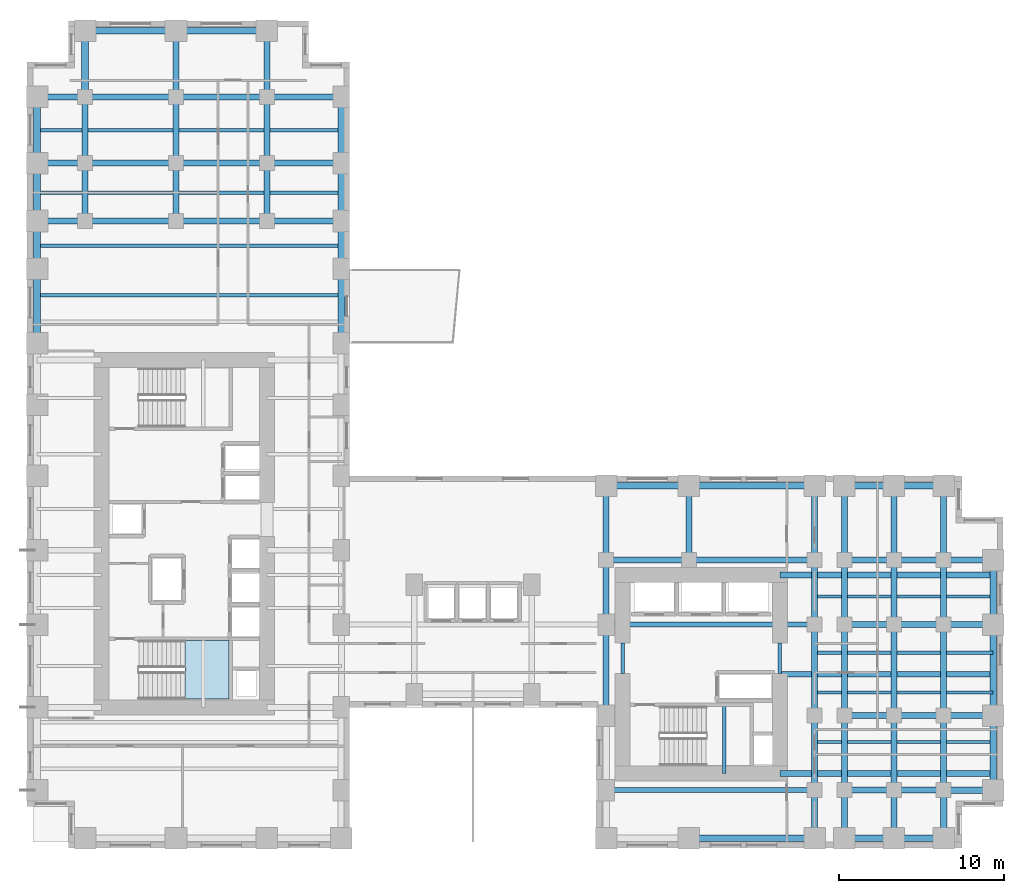
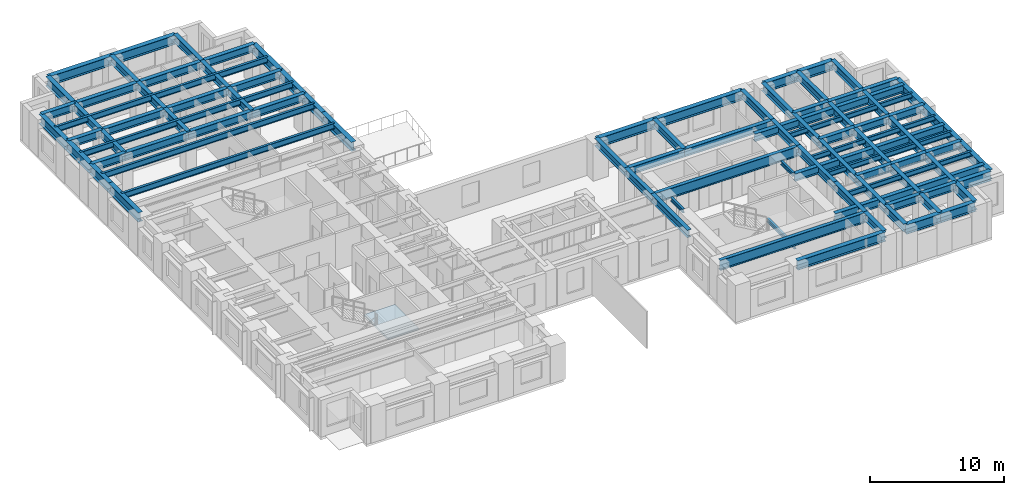
# One storey, part 2 of 11: 95 beams, 1 slab, 1 element without a shape of its own.
"""IFC4 building model written with IfcOpenShell, lengths in metres."""

from ifc_helpers import new_model, si_unit, direction, frame, origin, origin_2d, place, context, subcontext, project, spatial, polyline, i_section, outline, extrude, source, transform, mapped, material, layer, layer_set, material_profile, profile_set, type_object, element, aggregate, save


model = new_model("IFC4")

# Units and contexts
model_context = context("Model", 3, precision=1e-05, world=origin(), true_north=direction((0.0, 1.0)))
body_context = subcontext(model_context, "Body", "Model", "MODEL_VIEW")
ifc_project = project(units=[si_unit("LENGTHUNIT", "METRE"), si_unit("AREAUNIT", "SQUARE_METRE"), si_unit("VOLUMEUNIT", "CUBIC_METRE"), si_unit("PLANEANGLEUNIT", "RADIAN"), si_unit("MASSUNIT", "GRAM", prefix="KILO")], contexts=[model_context])

# Site, building, storey
site_placement = place(None, origin())
site = spatial("IfcSite", under=ifc_project, at=site_placement, CompositionType="ELEMENT")
building_placement = place(site_placement, origin())
building = spatial("IfcBuilding", under=site, at=building_placement, Name="Kharzan Plaza Tower", CompositionType="ELEMENT")
storey_placement = place(building_placement, frame((0.0, 0.0, 40.5)))
storey = spatial("IfcBuildingStorey", under=building, at=storey_placement, Name="L10", CompositionType="ELEMENT", Elevation=40.5)

# Beams
ifc_material_1 = material(Name="Steel S355", Category="steel")
ifc_material_profile_1 = material_profile(ifc_material_1, i_section(OverallWidth=0.205078125, OverallDepth=0.35400390625, WebThickness=0.009521484375, FlangeThickness=0.016845703125, at=origin_2d()), Name="W360x79")
ifc_profile_set_1 = profile_set([ifc_material_profile_1], Name="Steel S355")
beam_type_1 = type_object("IfcBeamType", Name="BM-LNT360", PredefinedType="LINTEL", material=ifc_profile_set_1)
shared_shape_1 = source(origin(), body_context, "Body", "SweptSolid", [
    extrude(i_section(OverallWidth=0.205078125, OverallDepth=0.35400390625, WebThickness=0.009521484375, FlangeThickness=0.016845703125, at=origin_2d()), origin(), (0.0, 0.0, 1.0), 1.849853515625),
])
for number, where, z_axis, x_axis, name in (
    (1, (45.5, 10.550048828125, 3.202880859375), (0.0, 1.0, 0.0), (-1.0, 0.0, 0.0), "L10 CORE-B coupling lintel LN1-WE"),
    (2, (36.0, 10.550048828125, 3.202880859375), (0.0, 1.0, 0.0), (-1.0, 0.0, 0.0), "L10 CORE-B coupling lintel LN1-WW"),
):
    element("IfcBeam", number, at=place(storey_placement, frame(where, z_axis=z_axis, x_axis=x_axis)), inside=storey, type_object=beam_type_1, Name=name, PredefinedType="LINTEL", context=body_context, shape_type="MappedRepresentation", body=[
        mapped(shared_shape_1, transform((0.0, 0.0, 0.0), x_axis=(1.0, 0.0, 0.0), y_axis=(0.0, 1.0, 0.0), z_axis=(0.0, 0.0, 1.0))),
    ])
shared_shape_2 = source(origin(), body_context, "Body", "SweptSolid", [
    extrude(i_section(OverallWidth=0.205078125, OverallDepth=0.35400390625, WebThickness=0.009521484375, FlangeThickness=0.016845703125, at=origin_2d()), origin(), (0.0, 0.0, 1.0), 4.155029296875),
])
beam_1_placement = place(storey_placement, frame((42.14990234375, 4.5, 1.423095703125), z_axis=(0.0, 1.0, 0.0), x_axis=(-1.0, 0.0, 0.0)))
element("IfcBeam", 3, at=beam_1_placement, inside=storey, type_object=beam_type_1, Name="L10 Stair ST-3 Half-Landing Beam", PredefinedType="LINTEL", context=body_context, shape_type="MappedRepresentation", body=[
    mapped(shared_shape_2, transform((0.0, 0.0, 0.0), x_axis=(1.0, 0.0, 0.0), y_axis=(0.0, 1.0, 0.0), z_axis=(0.0, 0.0, 1.0))),
])
ifc_material_profile_2 = material_profile(ifc_material_1, i_section(OverallWidth=0.304931640625, OverallDepth=0.9189453125, WebThickness=0.017333984375, FlangeThickness=0.02783203125, at=origin_2d()), Name="W920x253")
ifc_profile_set_2 = profile_set([ifc_material_profile_2], Name="Steel S355")
beam_type_2 = type_object("IfcBeamType", Name="BM-FG920B", PredefinedType="BEAM", material=ifc_profile_set_2)
shared_shape_3 = source(origin(), body_context, "Body", "SweptSolid", [
    extrude(i_section(OverallWidth=0.304931640625, OverallDepth=0.9189453125, WebThickness=0.017333984375, FlangeThickness=0.02783203125, at=origin_2d()), origin(), (0.0, 0.0, 1.0), 12.60009765625),
])
for number, where, z_axis, x_axis, name in (
    (4, (35.0, 3.5, 2.92041015625), (1.0, 0.0, 0.0), (0.0, 1.0, 0.0), "L10 Primary Floor Girder"),
    (5, (35.0, 13.5, 2.92041015625), (1.0, 0.0, 0.0), (0.0, 1.0, 0.0), "L10 Primary Floor Girder"),
):
    element("IfcBeam", number, at=place(storey_placement, frame(where, z_axis=z_axis, x_axis=x_axis)), inside=storey, type_object=beam_type_2, Name=name, PredefinedType="BEAM", context=body_context, shape_type="MappedRepresentation", body=[
        mapped(shared_shape_3, transform((0.0, 0.0, 0.0), x_axis=(1.0, 0.0, 0.0), y_axis=(0.0, 1.0, 0.0), z_axis=(0.0, 0.0, 1.0))),
    ])
ifc_material_profile_3 = material_profile(ifc_material_1, i_section(OverallWidth=0.35498046875, OverallDepth=0.695068359375, WebThickness=0.015380859375, FlangeThickness=0.02490234375, at=origin_2d()), Name="W690x217")
ifc_profile_set_3 = profile_set([ifc_material_profile_3], Name="Steel S355")
beam_type_3 = type_object("IfcBeamType", Name="BM-FG690A", PredefinedType="BEAM", material=ifc_profile_set_3)
shared_shape_4 = source(origin(), body_context, "Body", "SweptSolid", [
    extrude(i_section(OverallWidth=0.35498046875, OverallDepth=0.695068359375, WebThickness=0.015380859375, FlangeThickness=0.02490234375, at=origin_2d()), origin(), (0.0, 0.0, 1.0), 4.5),
])
for number, where, z_axis, x_axis, name in (
    (6, (35.0, 17.39990234375, 3.032470703125), (0.0, 1.0, 0.0), (-1.0, 0.0, 0.0), "L10 Interior Frame Girder"),
    (7, (40.0, 17.39990234375, 3.032470703125), (0.0, 1.0, 0.0), (-1.0, 0.0, 0.0), "L10 Interior Frame Girder"),
    (8, (47.60009765625, 3.5, 3.032470703125), (0.0, 1.0, 0.0), (-1.0, 0.0, 0.0), "L10 Interior Frame Girder"),
    (9, (47.60009765625, 17.39990234375, 3.032470703125), (0.0, 1.0, 0.0), (-1.0, 0.0, 0.0), "L10 Interior Frame Girder"),
    (10, (49.39990234375, 3.5, 3.032470703125), (0.0, 1.0, 0.0), (-1.0, 0.0, 0.0), "L10 Interior Frame Girder"),
    (11, (49.39990234375, 17.39990234375, 3.032470703125), (0.0, 1.0, 0.0), (-1.0, 0.0, 0.0), "L10 Interior Frame Girder"),
    (12, (52.39990234375, 3.5, 3.032470703125), (0.0, 1.0, 0.0), (-1.0, 0.0, 0.0), "L10 Interior Frame Girder"),
    (13, (52.39990234375, 17.39990234375, 3.032470703125), (0.0, 1.0, 0.0), (-1.0, 0.0, 0.0), "L10 Interior Frame Girder"),
    (14, (55.39990234375, 3.5, 3.032470703125), (0.0, 1.0, 0.0), (-1.0, 0.0, 0.0), "L10 Interior Frame Girder"),
    (15, (55.39990234375, 17.39990234375, 3.032470703125), (0.0, 1.0, 0.0), (-1.0, 0.0, 0.0), "L10 Interior Frame Girder"),
    (16, (14.5, 41.39990234375, 3.032470703125), (1.0, 0.0, 0.0), (0.0, 1.0, 0.0), "L10 Primary Floor Girder"),
    (17, (14.5, 45.39990234375, 3.032470703125), (1.0, 0.0, 0.0), (0.0, 1.0, 0.0), "L10 Primary Floor Girder"),
    (18, (14.5, 37.89990234375, 3.032470703125), (1.0, 0.0, 0.0), (0.0, 1.0, 0.0), "L10 Primary Floor Girder"),
):
    element("IfcBeam", number, at=place(storey_placement, frame(where, z_axis=z_axis, x_axis=x_axis)), inside=storey, type_object=beam_type_3, Name=name, PredefinedType="BEAM", context=body_context, shape_type="MappedRepresentation", body=[
        mapped(shared_shape_4, transform((0.0, 0.0, 0.0), x_axis=(1.0, 0.0, 0.0), y_axis=(0.0, 1.0, 0.0), z_axis=(0.0, 0.0, 1.0))),
    ])
shared_shape_5 = source(origin(), body_context, "Body", "SweptSolid", [
    extrude(i_section(OverallWidth=0.35498046875, OverallDepth=0.695068359375, WebThickness=0.015380859375, FlangeThickness=0.02490234375, at=origin_2d()), origin(), (0.0, 0.0, 1.0), 3.89990234375),
])
for number, where, z_axis, x_axis, name in (
    (19, (35.0, 13.5, 3.032470703125), (0.0, 1.0, 0.0), (-1.0, 0.0, 0.0), "L10 Interior Frame Girder"),
    (20, (47.60009765625, 13.5, 3.032470703125), (0.0, 1.0, 0.0), (-1.0, 0.0, 0.0), "L10 Interior Frame Girder"),
    (21, (49.39990234375, 13.5, 3.032470703125), (0.0, 1.0, 0.0), (-1.0, 0.0, 0.0), "L10 Interior Frame Girder"),
    (22, (52.39990234375, 13.5, 3.032470703125), (0.0, 1.0, 0.0), (-1.0, 0.0, 0.0), "L10 Interior Frame Girder"),
    (23, (55.39990234375, 13.5, 3.032470703125), (0.0, 1.0, 0.0), (-1.0, 0.0, 0.0), "L10 Interior Frame Girder"),
):
    element("IfcBeam", number, at=place(storey_placement, frame(where, z_axis=z_axis, x_axis=x_axis)), inside=storey, type_object=beam_type_3, Name=name, PredefinedType="BEAM", context=body_context, shape_type="MappedRepresentation", body=[
        mapped(shared_shape_5, transform((0.0, 0.0, 0.0), x_axis=(1.0, 0.0, 0.0), y_axis=(0.0, 1.0, 0.0), z_axis=(0.0, 0.0, 1.0))),
    ])
shared_shape_6 = source(origin(), body_context, "Body", "SweptSolid", [
    extrude(i_section(OverallWidth=0.35498046875, OverallDepth=0.695068359375, WebThickness=0.015380859375, FlangeThickness=0.02490234375, at=origin_2d()), origin(), (0.0, 0.0, 1.0), 12.89990234375),
])
for number, where, z_axis, x_axis, name in (
    (24, (45.5, 4.5, 3.032470703125), (1.0, 0.0, 0.0), (0.0, 1.0, 0.0), "L10 Core-B East Floor Girder 1"),
    (25, (45.5, 10.5, 3.032470703125), (1.0, 0.0, 0.0), (0.0, 1.0, 0.0), "L10 Core-B East Floor Girder 2"),
    (26, (45.5, 16.5, 3.032470703125), (1.0, 0.0, 0.0), (0.0, 1.0, 0.0), "L10 Core-B East Floor Girder 3"),
):
    element("IfcBeam", number, at=place(storey_placement, frame(where, z_axis=z_axis, x_axis=x_axis)), inside=storey, type_object=beam_type_3, Name=name, PredefinedType="BEAM", context=body_context, shape_type="MappedRepresentation", body=[
        mapped(shared_shape_6, transform((0.0, 0.0, 0.0), x_axis=(1.0, 0.0, 0.0), y_axis=(0.0, 1.0, 0.0), z_axis=(0.0, 0.0, 1.0))),
    ])
shared_shape_7 = source(origin(), body_context, "Body", "SweptSolid", [
    extrude(i_section(OverallWidth=0.35498046875, OverallDepth=0.695068359375, WebThickness=0.015380859375, FlangeThickness=0.02490234375, at=origin_2d()), origin(), (0.0, 0.0, 1.0), 3.5),
])
for number, where, z_axis, x_axis, name in (
    (27, (3.5, 37.89990234375, 3.032470703125), (0.0, 1.0, 0.0), (-1.0, 0.0, 0.0), "L10 Interior Frame Girder"),
    (28, (9.0, 37.89990234375, 3.032470703125), (0.0, 1.0, 0.0), (-1.0, 0.0, 0.0), "L10 Interior Frame Girder"),
    (29, (14.5, 37.89990234375, 3.032470703125), (0.0, 1.0, 0.0), (-1.0, 0.0, 0.0), "L10 Interior Frame Girder"),
):
    element("IfcBeam", number, at=place(storey_placement, frame(where, z_axis=z_axis, x_axis=x_axis)), inside=storey, type_object=beam_type_3, Name=name, PredefinedType="BEAM", context=body_context, shape_type="MappedRepresentation", body=[
        mapped(shared_shape_7, transform((0.0, 0.0, 0.0), x_axis=(1.0, 0.0, 0.0), y_axis=(0.0, 1.0, 0.0), z_axis=(0.0, 0.0, 1.0))),
    ])
shared_shape_8 = source(origin(), body_context, "Body", "SweptSolid", [
    extrude(i_section(OverallWidth=0.35498046875, OverallDepth=0.695068359375, WebThickness=0.015380859375, FlangeThickness=0.02490234375, at=origin_2d()), origin(), (0.0, 0.0, 1.0), 4.0),
])
for number, where, z_axis, x_axis, name in (
    (30, (3.5, 41.39990234375, 3.032470703125), (0.0, 1.0, 0.0), (-1.0, 0.0, 0.0), "L10 Interior Frame Girder"),
    (31, (9.0, 41.39990234375, 3.032470703125), (0.0, 1.0, 0.0), (-1.0, 0.0, 0.0), "L10 Interior Frame Girder"),
    (32, (9.0, 45.39990234375, 3.032470703125), (0.0, 1.0, 0.0), (-1.0, 0.0, 0.0), "L10 Interior Frame Girder"),
    (33, (14.5, 41.39990234375, 3.032470703125), (0.0, 1.0, 0.0), (-1.0, 0.0, 0.0), "L10 Interior Frame Girder"),
    (34, (14.5, 45.39990234375, 3.032470703125), (0.0, 1.0, 0.0), (-1.0, 0.0, 0.0), "L10 Interior Frame Girder"),
):
    element("IfcBeam", number, at=place(storey_placement, frame(where, z_axis=z_axis, x_axis=x_axis)), inside=storey, type_object=beam_type_3, Name=name, PredefinedType="BEAM", context=body_context, shape_type="MappedRepresentation", body=[
        mapped(shared_shape_8, transform((0.0, 0.0, 0.0), x_axis=(1.0, 0.0, 0.0), y_axis=(0.0, 1.0, 0.0), z_axis=(0.0, 0.0, 1.0))),
    ])
shared_shape_9 = source(origin(), body_context, "Body", "SweptSolid", [
    extrude(i_section(OverallWidth=0.35498046875, OverallDepth=0.695068359375, WebThickness=0.015380859375, FlangeThickness=0.02490234375, at=origin_2d()), origin(), (0.0, 0.0, 1.0), 5.0),
])
beam_2_placement = place(storey_placement, frame((35.0, 17.39990234375, 3.032470703125), z_axis=(1.0, 0.0, 0.0), x_axis=(0.0, 1.0, 0.0)))
element("IfcBeam", 35, at=beam_2_placement, inside=storey, type_object=beam_type_3, Name="L10 Primary Floor Girder", PredefinedType="BEAM", context=body_context, shape_type="MappedRepresentation", body=[
    mapped(shared_shape_9, transform((0.0, 0.0, 0.0), x_axis=(1.0, 0.0, 0.0), y_axis=(0.0, 1.0, 0.0), z_axis=(0.0, 0.0, 1.0))),
])
shared_shape_10 = source(origin(), body_context, "Body", "SweptSolid", [
    extrude(i_section(OverallWidth=0.35498046875, OverallDepth=0.695068359375, WebThickness=0.015380859375, FlangeThickness=0.02490234375, at=origin_2d()), origin(), (0.0, 0.0, 1.0), 5.5),
])
for number, where, z_axis, x_axis, name in (
    (36, (35.0, 8.0, 3.032470703125), (0.0, 1.0, 0.0), (-1.0, 0.0, 0.0), "L10 Interior Frame Girder"),
    (37, (47.60009765625, 8.0, 3.032470703125), (0.0, 1.0, 0.0), (-1.0, 0.0, 0.0), "L10 Interior Frame Girder"),
    (38, (49.39990234375, 8.0, 3.032470703125), (0.0, 1.0, 0.0), (-1.0, 0.0, 0.0), "L10 Interior Frame Girder"),
    (39, (52.39990234375, 8.0, 3.032470703125), (0.0, 1.0, 0.0), (-1.0, 0.0, 0.0), "L10 Interior Frame Girder"),
    (40, (55.39990234375, 8.0, 3.032470703125), (0.0, 1.0, 0.0), (-1.0, 0.0, 0.0), "L10 Interior Frame Girder"),
    (41, (3.5, 45.39990234375, 3.032470703125), (1.0, 0.0, 0.0), (0.0, 1.0, 0.0), "L10 Primary Floor Girder"),
    (42, (9.0, 45.39990234375, 3.032470703125), (1.0, 0.0, 0.0), (0.0, 1.0, 0.0), "L10 Primary Floor Girder"),
    (43, (3.5, 37.89990234375, 3.032470703125), (1.0, 0.0, 0.0), (0.0, 1.0, 0.0), "L10 Primary Floor Girder"),
    (44, (9.0, 37.89990234375, 3.032470703125), (1.0, 0.0, 0.0), (0.0, 1.0, 0.0), "L10 Primary Floor Girder"),
    (45, (3.5, 41.39990234375, 3.032470703125), (1.0, 0.0, 0.0), (0.0, 1.0, 0.0), "L10 Primary Floor Girder"),
    (46, (9.0, 41.39990234375, 3.032470703125), (1.0, 0.0, 0.0), (0.0, 1.0, 0.0), "L10 Primary Floor Girder"),
):
    element("IfcBeam", number, at=place(storey_placement, frame(where, z_axis=z_axis, x_axis=x_axis)), inside=storey, type_object=beam_type_3, Name=name, PredefinedType="BEAM", context=body_context, shape_type="MappedRepresentation", body=[
        mapped(shared_shape_10, transform((0.0, 0.0, 0.0), x_axis=(1.0, 0.0, 0.0), y_axis=(0.0, 1.0, 0.0), z_axis=(0.0, 0.0, 1.0))),
    ])
shared_shape_11 = source(origin(), body_context, "Body", "SweptSolid", [
    extrude(i_section(OverallWidth=0.35498046875, OverallDepth=0.695068359375, WebThickness=0.015380859375, FlangeThickness=0.02490234375, at=origin_2d()), origin(), (0.0, 0.0, 1.0), 2.89990234375),
])
for number, where, z_axis, x_axis, name in (
    (47, (47.60009765625, 0.60009765625, 3.032470703125), (0.0, 1.0, 0.0), (-1.0, 0.0, 0.0), "L10 Interior Frame Girder"),
    (48, (49.39990234375, 0.60009765625, 3.032470703125), (0.0, 1.0, 0.0), (-1.0, 0.0, 0.0), "L10 Interior Frame Girder"),
    (49, (52.39990234375, 0.60009765625, 3.032470703125), (0.0, 1.0, 0.0), (-1.0, 0.0, 0.0), "L10 Interior Frame Girder"),
    (50, (0.60009765625, 45.39990234375, 3.032470703125), (1.0, 0.0, 0.0), (0.0, 1.0, 0.0), "L10 Primary Floor Girder"),
    (51, (0.60009765625, 37.89990234375, 3.032470703125), (1.0, 0.0, 0.0), (0.0, 1.0, 0.0), "L10 Primary Floor Girder"),
    (52, (0.60009765625, 41.39990234375, 3.032470703125), (1.0, 0.0, 0.0), (0.0, 1.0, 0.0), "L10 Primary Floor Girder"),
):
    element("IfcBeam", number, at=place(storey_placement, frame(where, z_axis=z_axis, x_axis=x_axis)), inside=storey, type_object=beam_type_3, Name=name, PredefinedType="BEAM", context=body_context, shape_type="MappedRepresentation", body=[
        mapped(shared_shape_11, transform((0.0, 0.0, 0.0), x_axis=(1.0, 0.0, 0.0), y_axis=(0.0, 1.0, 0.0), z_axis=(0.0, 0.0, 1.0))),
    ])
shared_shape_12 = source(origin(), body_context, "Body", "SweptSolid", [
    extrude(i_section(OverallWidth=0.35498046875, OverallDepth=0.695068359375, WebThickness=0.015380859375, FlangeThickness=0.02490234375, at=origin_2d()), origin(), (0.0, 0.0, 1.0), 3.0),
])
for number, where, z_axis, x_axis, name in (
    (53, (49.39990234375, 3.5, 3.032470703125), (1.0, 0.0, 0.0), (0.0, 1.0, 0.0), "L10 Primary Floor Girder"),
    (54, (52.39990234375, 3.5, 3.032470703125), (1.0, 0.0, 0.0), (0.0, 1.0, 0.0), "L10 Primary Floor Girder"),
    (55, (49.39990234375, 8.0, 3.032470703125), (1.0, 0.0, 0.0), (0.0, 1.0, 0.0), "L10 Primary Floor Girder"),
    (56, (52.39990234375, 8.0, 3.032470703125), (1.0, 0.0, 0.0), (0.0, 1.0, 0.0), "L10 Primary Floor Girder"),
    (57, (55.39990234375, 8.0, 3.032470703125), (1.0, 0.0, 0.0), (0.0, 1.0, 0.0), "L10 Primary Floor Girder"),
    (58, (49.39990234375, 13.5, 3.032470703125), (1.0, 0.0, 0.0), (0.0, 1.0, 0.0), "L10 Primary Floor Girder"),
    (59, (52.39990234375, 13.5, 3.032470703125), (1.0, 0.0, 0.0), (0.0, 1.0, 0.0), "L10 Primary Floor Girder"),
    (60, (55.39990234375, 13.5, 3.032470703125), (1.0, 0.0, 0.0), (0.0, 1.0, 0.0), "L10 Primary Floor Girder"),
    (61, (49.39990234375, 17.39990234375, 3.032470703125), (1.0, 0.0, 0.0), (0.0, 1.0, 0.0), "L10 Primary Floor Girder"),
    (62, (52.39990234375, 17.39990234375, 3.032470703125), (1.0, 0.0, 0.0), (0.0, 1.0, 0.0), "L10 Primary Floor Girder"),
    (63, (55.39990234375, 17.39990234375, 3.032470703125), (1.0, 0.0, 0.0), (0.0, 1.0, 0.0), "L10 Primary Floor Girder"),
):
    element("IfcBeam", number, at=place(storey_placement, frame(where, z_axis=z_axis, x_axis=x_axis)), inside=storey, type_object=beam_type_3, Name=name, PredefinedType="BEAM", context=body_context, shape_type="MappedRepresentation", body=[
        mapped(shared_shape_12, transform((0.0, 0.0, 0.0), x_axis=(1.0, 0.0, 0.0), y_axis=(0.0, 1.0, 0.0), z_axis=(0.0, 0.0, 1.0))),
    ])
shared_shape_13 = source(origin(), body_context, "Body", "SweptSolid", [
    extrude(i_section(OverallWidth=0.35498046875, OverallDepth=0.695068359375, WebThickness=0.015380859375, FlangeThickness=0.02490234375, at=origin_2d()), origin(), (0.0, 0.0, 1.0), 7.60009765625),
])
beam_3_placement = place(storey_placement, frame((40.0, 17.39990234375, 3.032470703125), z_axis=(1.0, 0.0, 0.0), x_axis=(0.0, 1.0, 0.0)))
element("IfcBeam", 64, at=beam_3_placement, inside=storey, type_object=beam_type_3, Name="L10 Primary Floor Girder", PredefinedType="BEAM", context=body_context, shape_type="MappedRepresentation", body=[
    mapped(shared_shape_13, transform((0.0, 0.0, 0.0), x_axis=(1.0, 0.0, 0.0), y_axis=(0.0, 1.0, 0.0), z_axis=(0.0, 0.0, 1.0))),
])
ifc_material_profile_4 = material_profile(ifc_material_1, i_section(OverallWidth=0.2099609375, OverallDepth=0.537109375, WebThickness=0.010986328125, FlangeThickness=0.017333984375, at=origin_2d()), Name="W530x101")
ifc_profile_set_4 = profile_set([ifc_material_profile_4], Name="Steel S355")
beam_type_4 = type_object("IfcBeamType", Name="BM-JST530B", PredefinedType="JOIST", material=ifc_profile_set_4)
shared_shape_14 = source(origin(), body_context, "Body", "SweptSolid", [
    extrude(i_section(OverallWidth=0.2099609375, OverallDepth=0.537109375, WebThickness=0.010986328125, FlangeThickness=0.017333984375, at=origin_2d()), origin(), (0.0, 0.0, 1.0), 18.39990234375),
])
for number, where, z_axis, x_axis, name in (
    (65, (0.60009765625, 33.39990234375, 3.111572265625), (1.0, 0.0, 0.0), (0.0, 1.0, 0.0), "L10 Wing A Composite Joist 05"),
    (66, (0.60009765625, 36.39990234375, 3.111572265625), (1.0, 0.0, 0.0), (0.0, 1.0, 0.0), "L10 Wing A Composite Joist 06"),
    (67, (0.60009765625, 39.60009765625, 3.111572265625), (1.0, 0.0, 0.0), (0.0, 1.0, 0.0), "L10 Wing A Composite Joist 07"),
    (68, (0.60009765625, 43.39990234375, 3.111572265625), (1.0, 0.0, 0.0), (0.0, 1.0, 0.0), "L10 Wing A Composite Joist 08"),
):
    element("IfcBeam", number, at=place(storey_placement, frame(where, z_axis=z_axis, x_axis=x_axis)), inside=storey, type_object=beam_type_4, Name=name, PredefinedType="JOIST", context=body_context, shape_type="MappedRepresentation", body=[
        mapped(shared_shape_14, transform((0.0, 0.0, 0.0), x_axis=(1.0, 0.0, 0.0), y_axis=(0.0, 1.0, 0.0), z_axis=(0.0, 0.0, 1.0))),
    ])
ifc_material_profile_5 = material_profile(ifc_material_1, i_section(OverallWidth=0.194091796875, OverallDepth=0.468994140625, WebThickness=0.011474609375, FlangeThickness=0.0205078125, at=origin_2d()), Name="W460x106")
ifc_profile_set_5 = profile_set([ifc_material_profile_5], Name="Steel S355")
beam_type_5 = type_object("IfcBeamType", Name="BM-JST460", PredefinedType="JOIST", material=ifc_profile_set_5)
shared_shape_15 = source(origin(), body_context, "Body", "SweptSolid", [
    extrude(i_section(OverallWidth=0.194091796875, OverallDepth=0.468994140625, WebThickness=0.011474609375, FlangeThickness=0.0205078125, at=origin_2d()), origin(), (0.0, 0.0, 1.0), 10.7998046875),
])
for number, where, z_axis, x_axis, name in (
    (69, (47.60009765625, 6.39990234375, 3.1455078125), (1.0, 0.0, 0.0), (0.0, 1.0, 0.0), "L10 Wing B Composite Joist 02"),
    (70, (47.60009765625, 9.39990234375, 3.1455078125), (1.0, 0.0, 0.0), (0.0, 1.0, 0.0), "L10 Wing B Composite Joist 03"),
    (71, (47.60009765625, 11.800048828125, 3.1455078125), (1.0, 0.0, 0.0), (0.0, 1.0, 0.0), "L10 Wing B Composite Joist 04"),
    (72, (47.60009765625, 15.199951171875, 3.1455078125), (1.0, 0.0, 0.0), (0.0, 1.0, 0.0), "L10 Wing B Composite Joist 05"),
):
    element("IfcBeam", number, at=place(storey_placement, frame(where, z_axis=z_axis, x_axis=x_axis)), inside=storey, type_object=beam_type_5, Name=name, PredefinedType="JOIST", context=body_context, shape_type="MappedRepresentation", body=[
        mapped(shared_shape_15, transform((0.0, 0.0, 0.0), x_axis=(1.0, 0.0, 0.0), y_axis=(0.0, 1.0, 0.0), z_axis=(0.0, 0.0, 1.0))),
    ])
ifc_material_profile_6 = material_profile(ifc_material_1, i_section(OverallWidth=0.40087890625, OverallDepth=0.85498046875, WebThickness=0.018310546875, FlangeThickness=0.029296875, at=origin_2d()), Name="W840x299")
ifc_profile_set_6 = profile_set([ifc_material_profile_6], Name="Steel S355")
beam_type_6 = type_object("IfcBeamType", Name="BM-SP840A", PredefinedType="SPANDREL", material=ifc_profile_set_6)
shared_shape_16 = source(origin(), body_context, "Body", "SweptSolid", [
    extrude(i_section(OverallWidth=0.40087890625, OverallDepth=0.85498046875, WebThickness=0.018310546875, FlangeThickness=0.029296875, at=origin_2d()), origin(), (0.0, 0.0, 1.0), 5.0),
])
beam_4_placement = place(storey_placement, frame((35.0, 21.89990234375, 2.952392578125), z_axis=(1.0, 0.0, 0.0), x_axis=(0.0, 1.0, 0.0)))
element("IfcBeam", 73, at=beam_4_placement, inside=storey, type_object=beam_type_6, Name="L10 Perimeter Tube Spandrel", PredefinedType="SPANDREL", context=body_context, shape_type="MappedRepresentation", body=[
    mapped(shared_shape_16, transform((0.0, 0.0, 0.0), x_axis=(1.0, 0.0, 0.0), y_axis=(0.0, 1.0, 0.0), z_axis=(0.0, 0.0, 1.0))),
])
shared_shape_17 = source(origin(), body_context, "Body", "SweptSolid", [
    extrude(i_section(OverallWidth=0.40087890625, OverallDepth=0.85498046875, WebThickness=0.018310546875, FlangeThickness=0.029296875, at=origin_2d()), origin(), (0.0, 0.0, 1.0), 4.5),
])
for number, where, z_axis, x_axis, name in (
    (74, (0.60009765625, 30.5, 2.952392578125), (0.0, 1.0, 0.0), (-1.0, 0.0, 0.0), "L10 Perimeter Tube Spandrel"),
    (75, (19.0, 30.5, 2.952392578125), (0.0, 1.0, 0.0), (-1.0, 0.0, 0.0), "L10 Perimeter Tube Spandrel"),
    (76, (58.39990234375, 3.5, 2.952392578125), (0.0, 1.0, 0.0), (-1.0, 0.0, 0.0), "L10 Perimeter Tube Spandrel"),
):
    element("IfcBeam", number, at=place(storey_placement, frame(where, z_axis=z_axis, x_axis=x_axis)), inside=storey, type_object=beam_type_6, Name=name, PredefinedType="SPANDREL", context=body_context, shape_type="MappedRepresentation", body=[
        mapped(shared_shape_17, transform((0.0, 0.0, 0.0), x_axis=(1.0, 0.0, 0.0), y_axis=(0.0, 1.0, 0.0), z_axis=(0.0, 0.0, 1.0))),
    ])
shared_shape_18 = source(origin(), body_context, "Body", "SweptSolid", [
    extrude(i_section(OverallWidth=0.40087890625, OverallDepth=0.85498046875, WebThickness=0.018310546875, FlangeThickness=0.029296875, at=origin_2d()), origin(), (0.0, 0.0, 1.0), 2.89990234375),
])
for number, where, z_axis, x_axis, name in (
    (77, (0.60009765625, 35.0, 2.952392578125), (0.0, 1.0, 0.0), (-1.0, 0.0, 0.0), "L10 Perimeter Tube Spandrel"),
    (78, (19.0, 35.0, 2.952392578125), (0.0, 1.0, 0.0), (-1.0, 0.0, 0.0), "L10 Perimeter Tube Spandrel"),
    (79, (55.39990234375, 0.60009765625, 2.952392578125), (0.0, 1.0, 0.0), (-1.0, 0.0, 0.0), "L10 Perimeter Tube Spandrel"),
):
    element("IfcBeam", number, at=place(storey_placement, frame(where, z_axis=z_axis, x_axis=x_axis)), inside=storey, type_object=beam_type_6, Name=name, PredefinedType="SPANDREL", context=body_context, shape_type="MappedRepresentation", body=[
        mapped(shared_shape_18, transform((0.0, 0.0, 0.0), x_axis=(1.0, 0.0, 0.0), y_axis=(0.0, 1.0, 0.0), z_axis=(0.0, 0.0, 1.0))),
    ])
shared_shape_19 = source(origin(), body_context, "Body", "SweptSolid", [
    extrude(i_section(OverallWidth=0.40087890625, OverallDepth=0.85498046875, WebThickness=0.018310546875, FlangeThickness=0.029296875, at=origin_2d()), origin(), (0.0, 0.0, 1.0), 3.5),
])
for number, where, z_axis, x_axis, name in (
    (80, (0.60009765625, 37.89990234375, 2.952392578125), (0.0, 1.0, 0.0), (-1.0, 0.0, 0.0), "L10 Perimeter Tube Spandrel"),
    (81, (19.0, 37.89990234375, 2.952392578125), (0.0, 1.0, 0.0), (-1.0, 0.0, 0.0), "L10 Perimeter Tube Spandrel"),
):
    element("IfcBeam", number, at=place(storey_placement, frame(where, z_axis=z_axis, x_axis=x_axis)), inside=storey, type_object=beam_type_6, Name=name, PredefinedType="SPANDREL", context=body_context, shape_type="MappedRepresentation", body=[
        mapped(shared_shape_19, transform((0.0, 0.0, 0.0), x_axis=(1.0, 0.0, 0.0), y_axis=(0.0, 1.0, 0.0), z_axis=(0.0, 0.0, 1.0))),
    ])
shared_shape_20 = source(origin(), body_context, "Body", "SweptSolid", [
    extrude(i_section(OverallWidth=0.40087890625, OverallDepth=0.85498046875, WebThickness=0.018310546875, FlangeThickness=0.029296875, at=origin_2d()), origin(), (0.0, 0.0, 1.0), 4.0),
])
for number, where, z_axis, x_axis, name in (
    (82, (0.60009765625, 41.39990234375, 2.952392578125), (0.0, 1.0, 0.0), (-1.0, 0.0, 0.0), "L10 Perimeter Tube Spandrel"),
    (83, (3.5, 45.39990234375, 2.952392578125), (0.0, 1.0, 0.0), (-1.0, 0.0, 0.0), "L10 Perimeter Tube Spandrel"),
    (84, (19.0, 41.39990234375, 2.952392578125), (0.0, 1.0, 0.0), (-1.0, 0.0, 0.0), "L10 Perimeter Tube Spandrel"),
):
    element("IfcBeam", number, at=place(storey_placement, frame(where, z_axis=z_axis, x_axis=x_axis)), inside=storey, type_object=beam_type_6, Name=name, PredefinedType="SPANDREL", context=body_context, shape_type="MappedRepresentation", body=[
        mapped(shared_shape_20, transform((0.0, 0.0, 0.0), x_axis=(1.0, 0.0, 0.0), y_axis=(0.0, 1.0, 0.0), z_axis=(0.0, 0.0, 1.0))),
    ])
shared_shape_21 = source(origin(), body_context, "Body", "SweptSolid", [
    extrude(i_section(OverallWidth=0.40087890625, OverallDepth=0.85498046875, WebThickness=0.018310546875, FlangeThickness=0.029296875, at=origin_2d()), origin(), (0.0, 0.0, 1.0), 5.5),
])
for number, where, z_axis, x_axis, name in (
    (85, (58.39990234375, 8.0, 2.952392578125), (0.0, 1.0, 0.0), (-1.0, 0.0, 0.0), "L10 Perimeter Tube Spandrel"),
    (86, (3.5, 49.39990234375, 2.952392578125), (1.0, 0.0, 0.0), (0.0, 1.0, 0.0), "L10 Perimeter Tube Spandrel"),
    (87, (9.0, 49.39990234375, 2.952392578125), (1.0, 0.0, 0.0), (0.0, 1.0, 0.0), "L10 Perimeter Tube Spandrel"),
):
    element("IfcBeam", number, at=place(storey_placement, frame(where, z_axis=z_axis, x_axis=x_axis)), inside=storey, type_object=beam_type_6, Name=name, PredefinedType="SPANDREL", context=body_context, shape_type="MappedRepresentation", body=[
        mapped(shared_shape_21, transform((0.0, 0.0, 0.0), x_axis=(1.0, 0.0, 0.0), y_axis=(0.0, 1.0, 0.0), z_axis=(0.0, 0.0, 1.0))),
    ])
shared_shape_22 = source(origin(), body_context, "Body", "SweptSolid", [
    extrude(i_section(OverallWidth=0.40087890625, OverallDepth=0.85498046875, WebThickness=0.018310546875, FlangeThickness=0.029296875, at=origin_2d()), origin(), (0.0, 0.0, 1.0), 3.89990234375),
])
beam_5_placement = place(storey_placement, frame((58.39990234375, 13.5, 2.952392578125), z_axis=(0.0, 1.0, 0.0), x_axis=(-1.0, 0.0, 0.0)))
element("IfcBeam", 88, at=beam_5_placement, inside=storey, type_object=beam_type_6, Name="L10 Perimeter Tube Spandrel", PredefinedType="SPANDREL", context=body_context, shape_type="MappedRepresentation", body=[
    mapped(shared_shape_22, transform((0.0, 0.0, 0.0), x_axis=(1.0, 0.0, 0.0), y_axis=(0.0, 1.0, 0.0), z_axis=(0.0, 0.0, 1.0))),
])
shared_shape_23 = source(origin(), body_context, "Body", "SweptSolid", [
    extrude(i_section(OverallWidth=0.40087890625, OverallDepth=0.85498046875, WebThickness=0.018310546875, FlangeThickness=0.029296875, at=origin_2d()), origin(), (0.0, 0.0, 1.0), 7.60009765625),
])
for number, where, z_axis, x_axis, name in (
    (89, (40.0, 0.60009765625, 2.952392578125), (1.0, 0.0, 0.0), (0.0, 1.0, 0.0), "L10 Perimeter Tube Spandrel"),
    (90, (40.0, 21.89990234375, 2.952392578125), (1.0, 0.0, 0.0), (0.0, 1.0, 0.0), "L10 Perimeter Tube Spandrel"),
):
    element("IfcBeam", number, at=place(storey_placement, frame(where, z_axis=z_axis, x_axis=x_axis)), inside=storey, type_object=beam_type_6, Name=name, PredefinedType="SPANDREL", context=body_context, shape_type="MappedRepresentation", body=[
        mapped(shared_shape_23, transform((0.0, 0.0, 0.0), x_axis=(1.0, 0.0, 0.0), y_axis=(0.0, 1.0, 0.0), z_axis=(0.0, 0.0, 1.0))),
    ])
shared_shape_24 = source(origin(), body_context, "Body", "SweptSolid", [
    extrude(i_section(OverallWidth=0.40087890625, OverallDepth=0.85498046875, WebThickness=0.018310546875, FlangeThickness=0.029296875, at=origin_2d()), origin(), (0.0, 0.0, 1.0), 3.0),
])
for number, where, z_axis, x_axis, name in (
    (91, (49.39990234375, 0.60009765625, 2.952392578125), (1.0, 0.0, 0.0), (0.0, 1.0, 0.0), "L10 Perimeter Tube Spandrel"),
    (92, (52.39990234375, 0.60009765625, 2.952392578125), (1.0, 0.0, 0.0), (0.0, 1.0, 0.0), "L10 Perimeter Tube Spandrel"),
    (93, (55.39990234375, 3.5, 2.952392578125), (1.0, 0.0, 0.0), (0.0, 1.0, 0.0), "L10 Perimeter Tube Spandrel"),
    (94, (49.39990234375, 21.89990234375, 2.952392578125), (1.0, 0.0, 0.0), (0.0, 1.0, 0.0), "L10 Perimeter Tube Spandrel"),
    (95, (52.39990234375, 21.89990234375, 2.952392578125), (1.0, 0.0, 0.0), (0.0, 1.0, 0.0), "L10 Perimeter Tube Spandrel"),
):
    element("IfcBeam", number, at=place(storey_placement, frame(where, z_axis=z_axis, x_axis=x_axis)), inside=storey, type_object=beam_type_6, Name=name, PredefinedType="SPANDREL", context=body_context, shape_type="MappedRepresentation", body=[
        mapped(shared_shape_24, transform((0.0, 0.0, 0.0), x_axis=(1.0, 0.0, 0.0), y_axis=(0.0, 1.0, 0.0), z_axis=(0.0, 0.0, 1.0))),
    ])

# Stair, slab
ifc_material_2 = material(Name="Concrete C40/50", Category="concrete")
stair_type = type_object("IfcStairType", Name="STR-ST-1", PredefinedType="HALF_TURN_STAIR", material=ifc_material_2)
stair_placement = place(storey_placement, origin())
stair = element("IfcStair", 96, at=stair_placement, inside=storey, type_object=stair_type, Name="L10 Protected Exit Stair ST-1", PredefinedType="HALF_TURN_STAIR")
ifc_layer = layer(ifc_material_2, 0.219970703125)
ifc_layer_set = layer_set([ifc_layer], Name="Concrete C40/50")
slab_type = type_object("IfcSlabType", Name="SL-LANDING-220", PredefinedType="LANDING", material=ifc_layer_set)
slab_placement = place(storey_placement, frame((0.0, 0.0, 1.60009765625)))
slab = element("IfcSlab", 97, at=slab_placement, type_object=slab_type, Name="ST-1 landing 1", PredefinedType="LANDING", context=body_context, shape_type="SweptSolid", body=[
    extrude(outline(polyline([(9.550048828125, 9.0), (12.199951171875, 9.0), (12.199951171875, 12.550048828125), (9.550048828125, 12.550048828125), (9.550048828125, 9.0)])), origin(), (0.0, 0.0, 1.0), 0.199951171875),
])
aggregate(stair, [slab])

save(model, "model.ifc")
